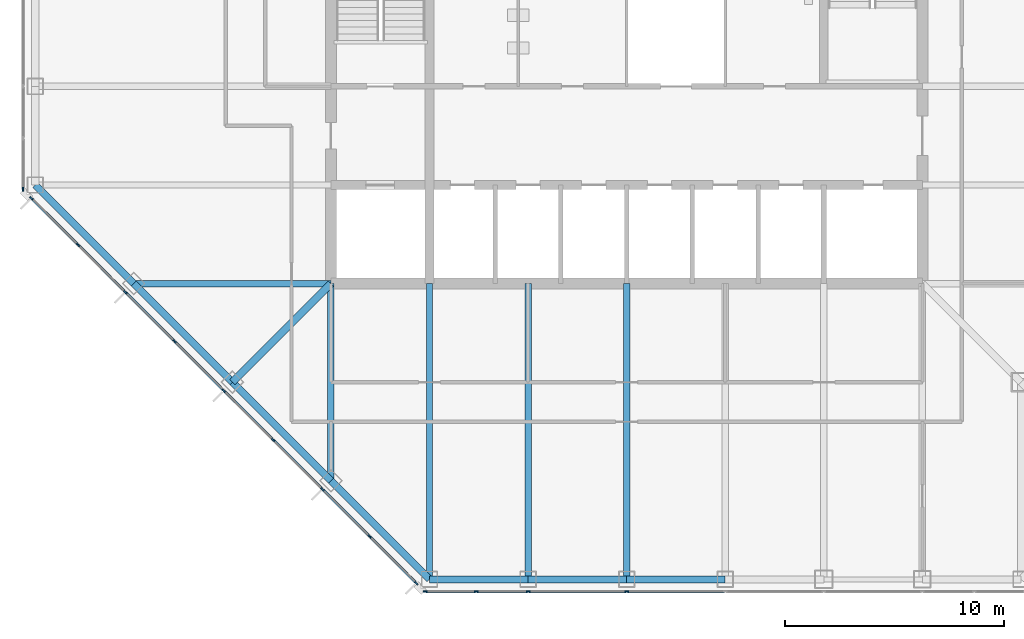
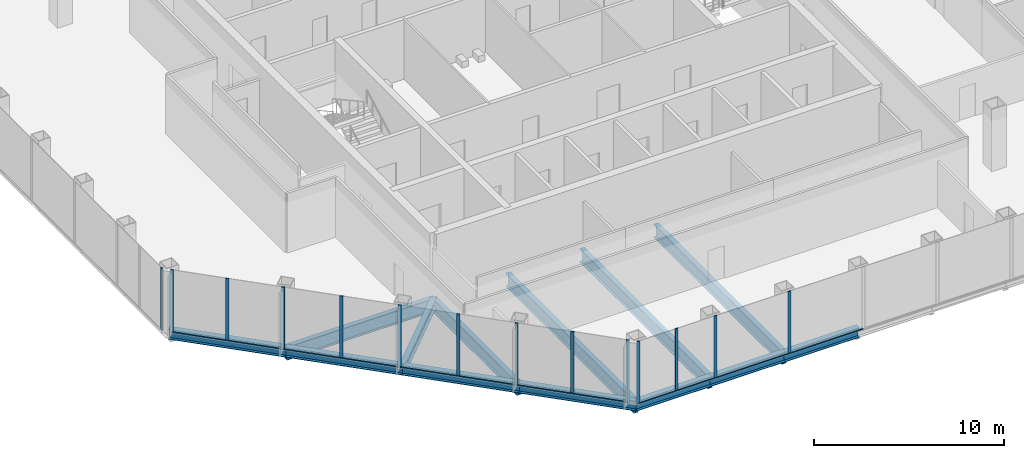
# One storey, part 2 of 12: 26 members, 13 beams, 3 elements without a shape of their own.
"""IFC4 building model written with IfcOpenShell, lengths in metres."""

from ifc_helpers import new_model, si_unit, direction, frame, origin, origin_2d, place, context, subcontext, project, spatial, rectangle, i_section, extrude, material, material_profile, profile_set, type_object, element, aggregate, save


model = new_model("IFC4")

# Units and contexts
model_context = context("Model", 3, precision=1e-05, world=origin(), true_north=direction((0.0, 1.0)))
body_context = subcontext(model_context, "Body", "Model", "MODEL_VIEW")
ifc_project = project(units=[si_unit("LENGTHUNIT", "METRE"), si_unit("AREAUNIT", "SQUARE_METRE"), si_unit("VOLUMEUNIT", "CUBIC_METRE"), si_unit("PLANEANGLEUNIT", "RADIAN"), si_unit("MASSUNIT", "GRAM", prefix="KILO")], contexts=[model_context])

# Site, building, storey
site_placement = place(None, origin())
site = spatial("IfcSite", under=ifc_project, at=site_placement, CompositionType="ELEMENT")
building_placement = place(site_placement, origin())
building = spatial("IfcBuilding", under=site, at=building_placement, Name="Corais Broadcast Tower", CompositionType="ELEMENT")
storey_placement = place(building_placement, frame((0.0, 0.0, 135.60009765625)))
storey = spatial("IfcBuildingStorey", under=building, at=storey_placement, Name="L30", CompositionType="ELEMENT", Elevation=135.60009765625)

# Beams
ifc_material_1 = material(Name="Steel ASTM A572 Grade 50", Category="steel")
ifc_material_profile_1 = material_profile(ifc_material_1, i_section(OverallWidth=0.323974609375, OverallDepth=0.611083984375, WebThickness=0.0126953125, FlangeThickness=0.01904296875, at=origin_2d()), Name="W610x155")
ifc_profile_set_1 = profile_set([ifc_material_profile_1], Name="Steel ASTM A572 Grade 50")
beam_type_1 = type_object("IfcBeamType", Name="Corner diagonal W610x155", PredefinedType="BEAM", material=ifc_profile_set_1)
beam_1_placement = place(storey_placement, frame((9.0, 9.0, -0.465576171875), z_axis=(0.707106781187, 0.707106781187, 0.0), x_axis=(-0.707106781187, 0.707106781187, 0.0)))
element("IfcBeam", 1, at=beam_1_placement, inside=storey, type_object=beam_type_1, Name="B6 C/5 to D/6", PredefinedType="BEAM", context=body_context, shape_type="SweptSolid", body=[
    extrude(i_section(OverallWidth=0.323974609375, OverallDepth=0.611083984375, WebThickness=0.0126953125, FlangeThickness=0.01904296875, at=origin_2d()), origin(), (0.0, 0.0, 1.0), 6.364013671875),
])
ifc_material_2 = material(Name="Steel ASTM A572 Grade 50", Category="steel")
ifc_material_profile_2 = material_profile(ifc_material_2, i_section(OverallWidth=0.2939453125, OverallDepth=0.85107421875, WebThickness=0.01611328125, FlangeThickness=0.02685546875, at=origin_2d()), Name="W840x226")
ifc_profile_set_2 = profile_set([ifc_material_profile_2], Name="Steel ASTM A572 Grade 50")
beam_type_2 = type_object("IfcBeamType", Name="Floor beam W840x226", PredefinedType="BEAM", material=ifc_profile_set_2)
beam_2_placement = place(storey_placement, frame((13.5, 4.5, -0.585693359375), z_axis=(0.0, 1.0, 0.0), x_axis=(-1.0, 0.0, 0.0)))
element("IfcBeam", 2, at=beam_2_placement, inside=storey, type_object=beam_type_2, Name="B1 B/6 to D/6", PredefinedType="BEAM", context=body_context, shape_type="SweptSolid", body=[
    extrude(i_section(OverallWidth=0.2939453125, OverallDepth=0.85107421875, WebThickness=0.01611328125, FlangeThickness=0.02685546875, at=origin_2d()), origin(), (0.0, 0.0, 1.0), 9.0),
])
for number, where, z_axis, x_axis, name in (
    (3, (18.0, 0.0, -0.585693359375), (0.0, 1.0, 0.0), (-1.0, 0.0, 0.0), "B1 A/7 to D/7"),
    (4, (22.5, 0.0, -0.585693359375), (0.0, 1.0, 0.0), (-1.0, 0.0, 0.0), "B1 A/8 to D/8"),
    (5, (27.0, 0.0, -0.585693359375), (0.0, 1.0, 0.0), (-1.0, 0.0, 0.0), "B1 A/9 to D/9"),
):
    element("IfcBeam", number, at=place(storey_placement, frame(where, z_axis=z_axis, x_axis=x_axis)), inside=storey, type_object=beam_type_2, Name=name, PredefinedType="BEAM", context=body_context, shape_type="SweptSolid", body=[
        extrude(i_section(OverallWidth=0.2939453125, OverallDepth=0.85107421875, WebThickness=0.01611328125, FlangeThickness=0.02685546875, at=origin_2d()), origin(), (0.0, 0.0, 1.0), 13.5),
    ])
beam_3_placement = place(storey_placement, frame((4.5, 13.5, -0.585693359375), z_axis=(1.0, 0.0, 0.0), x_axis=(0.0, 1.0, 0.0)))
element("IfcBeam", 6, at=beam_3_placement, inside=storey, type_object=beam_type_2, Name="B1 D/4 to D/6", PredefinedType="BEAM", context=body_context, shape_type="SweptSolid", body=[
    extrude(i_section(OverallWidth=0.2939453125, OverallDepth=0.85107421875, WebThickness=0.01611328125, FlangeThickness=0.02685546875, at=origin_2d()), origin(), (0.0, 0.0, 1.0), 9.0),
])

# Curtain wall, members
ifc_material_3 = material(Name="Aluminium and glass", Category="aluminium")
curtain_wall_type = type_object("IfcCurtainWallType", Name="Unitised fritted curtain wall CW2", PredefinedType="NOTDEFINED", material=ifc_material_3)
curtain_wall_1_placement = place(storey_placement, origin())
curtain_wall_1 = element("IfcCurtainWall", 7, at=curtain_wall_1_placement, inside=storey, type_object=curtain_wall_type, Name="CW2 curtain wall L30 1", PredefinedType="NOTDEFINED")
ifc_material_4 = material(Name="Aluminium 6063-T6", Category="aluminium")
ifc_material_profile_3 = material_profile(ifc_material_4, rectangle(XDim=0.06494140625, YDim=0.179931640625, at=origin_2d()), Name="Mullion CW2 65x180")
ifc_profile_set_3 = profile_set([ifc_material_profile_3], Name="Aluminium 6063-T6")
member_type_1 = type_object("IfcMemberType", Name="Mullion CW2 65x180", PredefinedType="MULLION", material=ifc_profile_set_3)
member_1_placement = place(storey_placement, frame((17.3955078125, -0.17333984375, 0.0), z_axis=(0.0, 0.0, 1.0), x_axis=(-0.707106781187, -0.707106781187, 0.0)))
member_1 = element("IfcMember", 8, at=member_1_placement, type_object=member_type_1, Name="CW2 mullion 1", PredefinedType="MULLION", context=body_context, shape_type="SweptSolid", body=[
    extrude(rectangle(XDim=0.06494140625, YDim=0.179931640625, at=origin_2d()), origin(), (0.0, 0.0, 1.0), 4.0),
])
member_2_placement = place(storey_placement, frame((15.264892578125, 1.957275390625, 0.0), z_axis=(0.0, 0.0, 1.0), x_axis=(-0.707106781187, -0.707106781187, 0.0)))
member_2 = element("IfcMember", 9, at=member_2_placement, type_object=member_type_1, Name="CW2 mullion 2", PredefinedType="MULLION", context=body_context, shape_type="SweptSolid", body=[
    extrude(rectangle(XDim=0.06494140625, YDim=0.179931640625, at=origin_2d()), origin(), (0.0, 0.0, 1.0), 4.0),
])
member_3_placement = place(storey_placement, frame((13.111083984375, 4.111083984375, 0.0), z_axis=(0.0, 0.0, 1.0), x_axis=(-0.707106781187, -0.707106781187, 0.0)))
member_3 = element("IfcMember", 10, at=member_3_placement, type_object=member_type_1, Name="CW2 mullion 3", PredefinedType="MULLION", context=body_context, shape_type="SweptSolid", body=[
    extrude(rectangle(XDim=0.06494140625, YDim=0.179931640625, at=origin_2d()), origin(), (0.0, 0.0, 1.0), 4.0),
])
member_4_placement = place(storey_placement, frame((10.861083984375, 6.361083984375, 0.0), z_axis=(0.0, 0.0, 1.0), x_axis=(-0.707106781187, -0.707106781187, 0.0)))
member_4 = element("IfcMember", 11, at=member_4_placement, type_object=member_type_1, Name="CW2 mullion 4", PredefinedType="MULLION", context=body_context, shape_type="SweptSolid", body=[
    extrude(rectangle(XDim=0.06494140625, YDim=0.179931640625, at=origin_2d()), origin(), (0.0, 0.0, 1.0), 4.0),
])
member_5_placement = place(storey_placement, frame((8.611083984375, 8.611083984375, 0.0), z_axis=(0.0, 0.0, 1.0), x_axis=(-0.707106781187, -0.707106781187, 0.0)))
member_5 = element("IfcMember", 12, at=member_5_placement, type_object=member_type_1, Name="CW2 mullion 5", PredefinedType="MULLION", context=body_context, shape_type="SweptSolid", body=[
    extrude(rectangle(XDim=0.06494140625, YDim=0.179931640625, at=origin_2d()), origin(), (0.0, 0.0, 1.0), 4.0),
])
member_6_placement = place(storey_placement, frame((6.361083984375, 10.861083984375, 0.0), z_axis=(0.0, 0.0, 1.0), x_axis=(-0.707106781187, -0.707106781187, 0.0)))
member_6 = element("IfcMember", 13, at=member_6_placement, type_object=member_type_1, Name="CW2 mullion 6", PredefinedType="MULLION", context=body_context, shape_type="SweptSolid", body=[
    extrude(rectangle(XDim=0.06494140625, YDim=0.179931640625, at=origin_2d()), origin(), (0.0, 0.0, 1.0), 4.0),
])
member_7_placement = place(storey_placement, frame((4.111083984375, 13.111083984375, 0.0), z_axis=(0.0, 0.0, 1.0), x_axis=(-0.707106781187, -0.707106781187, 0.0)))
member_7 = element("IfcMember", 14, at=member_7_placement, type_object=member_type_1, Name="CW2 mullion 7", PredefinedType="MULLION", context=body_context, shape_type="SweptSolid", body=[
    extrude(rectangle(XDim=0.06494140625, YDim=0.179931640625, at=origin_2d()), origin(), (0.0, 0.0, 1.0), 4.0),
])
member_8_placement = place(storey_placement, frame((1.957275390625, 15.264892578125, 0.0), z_axis=(0.0, 0.0, 1.0), x_axis=(-0.707106781187, -0.707106781187, 0.0)))
member_8 = element("IfcMember", 15, at=member_8_placement, type_object=member_type_1, Name="CW2 mullion 8", PredefinedType="MULLION", context=body_context, shape_type="SweptSolid", body=[
    extrude(rectangle(XDim=0.06494140625, YDim=0.179931640625, at=origin_2d()), origin(), (0.0, 0.0, 1.0), 4.0),
])
member_9_placement = place(storey_placement, frame((-0.17333984375, 17.3955078125, 0.0), z_axis=(0.0, 0.0, 1.0), x_axis=(-0.707106781187, -0.707106781187, 0.0)))
member_9 = element("IfcMember", 16, at=member_9_placement, type_object=member_type_1, Name="CW2 mullion 9", PredefinedType="MULLION", context=body_context, shape_type="SweptSolid", body=[
    extrude(rectangle(XDim=0.06494140625, YDim=0.179931640625, at=origin_2d()), origin(), (0.0, 0.0, 1.0), 4.0),
])

# Curtain wall, member
curtain_wall_2_placement = place(storey_placement, origin())
curtain_wall_2 = element("IfcCurtainWall", 17, at=curtain_wall_2_placement, inside=storey, type_object=curtain_wall_type, Name="CW2 curtain wall L30 2", PredefinedType="NOTDEFINED")
member_10_placement = place(storey_placement, frame((-0.550048828125, 17.8046875, 0.0), z_axis=(0.0, 0.0, 1.0), x_axis=(-1.0, 0.0, 0.0)))
member_10 = element("IfcMember", 18, at=member_10_placement, type_object=member_type_1, Name="CW2 mullion 1", PredefinedType="MULLION", context=body_context, shape_type="SweptSolid", body=[
    extrude(rectangle(XDim=0.06494140625, YDim=0.179931640625, at=origin_2d()), origin(), (0.0, 0.0, 1.0), 4.0),
])
aggregate(curtain_wall_2, [member_10])

# Curtain wall, members
curtain_wall_3_placement = place(storey_placement, origin())
curtain_wall_3 = element("IfcCurtainWall", 19, at=curtain_wall_3_placement, inside=storey, type_object=curtain_wall_type, Name="CW2 curtain wall L30 8", PredefinedType="NOTDEFINED")
member_11_placement = place(storey_placement, frame((27.0, -0.550048828125, 0.0), z_axis=(0.0, 0.0, 1.0), x_axis=(0.0, -1.0, 0.0)))
member_11 = element("IfcMember", 20, at=member_11_placement, type_object=member_type_1, Name="CW2 mullion 6", PredefinedType="MULLION", context=body_context, shape_type="SweptSolid", body=[
    extrude(rectangle(XDim=0.06494140625, YDim=0.179931640625, at=origin_2d()), origin(), (0.0, 0.0, 1.0), 4.0),
])
member_12_placement = place(storey_placement, frame((22.5, -0.550048828125, 0.0), z_axis=(0.0, 0.0, 1.0), x_axis=(0.0, -1.0, 0.0)))
member_12 = element("IfcMember", 21, at=member_12_placement, type_object=member_type_1, Name="CW2 mullion 7", PredefinedType="MULLION", context=body_context, shape_type="SweptSolid", body=[
    extrude(rectangle(XDim=0.06494140625, YDim=0.179931640625, at=origin_2d()), origin(), (0.0, 0.0, 1.0), 4.0),
])
member_13_placement = place(storey_placement, frame((20.135986328125, -0.550048828125, 0.0), z_axis=(0.0, 0.0, 1.0), x_axis=(0.0, -1.0, 0.0)))
member_13 = element("IfcMember", 22, at=member_13_placement, type_object=member_type_1, Name="CW2 mullion 8", PredefinedType="MULLION", context=body_context, shape_type="SweptSolid", body=[
    extrude(rectangle(XDim=0.06494140625, YDim=0.179931640625, at=origin_2d()), origin(), (0.0, 0.0, 1.0), 4.0),
])
member_14_placement = place(storey_placement, frame((17.8046875, -0.550048828125, 0.0), z_axis=(0.0, 0.0, 1.0), x_axis=(0.0, -1.0, 0.0)))
member_14 = element("IfcMember", 23, at=member_14_placement, type_object=member_type_1, Name="CW2 mullion 9", PredefinedType="MULLION", context=body_context, shape_type="SweptSolid", body=[
    extrude(rectangle(XDim=0.06494140625, YDim=0.179931640625, at=origin_2d()), origin(), (0.0, 0.0, 1.0), 4.0),
])

# Beams
ifc_material_5 = material(Name="Steel ASTM A572 Grade 50", Category="steel")
ifc_material_profile_4 = material_profile(ifc_material_5, i_section(OverallWidth=0.3291015625, OverallDepth=0.635009765625, WebThickness=0.017822265625, FlangeThickness=0.031005859375, at=origin_2d()), Name="W610x241")
ifc_profile_set_4 = profile_set([ifc_material_profile_4], Name="Steel ASTM A572 Grade 50")
beam_type_3 = type_object("IfcBeamType", Name="Spandrel W610x241", PredefinedType="BEAM", material=ifc_profile_set_4)
for number, where, z_axis, x_axis, name in (
    (24, (0.0, 18.0, -0.4775390625), (0.707106781187, -0.707106781187, 0.0), (0.707106781187, 0.707106781187, 0.0), "SB1 E/3 to D/4"),
    (25, (13.5, 4.5, -0.4775390625), (0.707106781187, -0.707106781187, 0.0), (0.707106781187, 0.707106781187, 0.0), "SB1 B/6 to A/7"),
):
    element("IfcBeam", number, at=place(storey_placement, frame(where, z_axis=z_axis, x_axis=x_axis)), inside=storey, type_object=beam_type_3, Name=name, PredefinedType="BEAM", context=body_context, shape_type="SweptSolid", body=[
        extrude(i_section(OverallWidth=0.3291015625, OverallDepth=0.635009765625, WebThickness=0.017822265625, FlangeThickness=0.031005859375, at=origin_2d()), origin(), (0.0, 0.0, 1.0), 6.364013671875),
    ])
for number, where, z_axis, x_axis, name in (
    (26, (18.0, 0.0, -0.4775390625), (1.0, 0.0, 0.0), (0.0, 1.0, 0.0), "SB1 A/7 to A/8"),
    (27, (22.5, 0.0, -0.4775390625), (1.0, 0.0, 0.0), (0.0, 1.0, 0.0), "SB1 A/8 to A/9"),
    (28, (27.0, 0.0, -0.4775390625), (1.0, 0.0, 0.0), (0.0, 1.0, 0.0), "SB1 A/9 to A/10"),
):
    element("IfcBeam", number, at=place(storey_placement, frame(where, z_axis=z_axis, x_axis=x_axis)), inside=storey, type_object=beam_type_3, Name=name, PredefinedType="BEAM", context=body_context, shape_type="SweptSolid", body=[
        extrude(i_section(OverallWidth=0.3291015625, OverallDepth=0.635009765625, WebThickness=0.017822265625, FlangeThickness=0.031005859375, at=origin_2d()), origin(), (0.0, 0.0, 1.0), 4.5),
    ])
for number, where, z_axis, x_axis, name in (
    (29, (4.5, 13.5, -0.4775390625), (0.707106781187, -0.707106781187, 0.0), (0.707106781187, 0.707106781187, 0.0), "SB1 D/4 to C/5"),
    (30, (9.0, 9.0, -0.4775390625), (0.707106781187, -0.707106781187, 0.0), (0.707106781187, 0.707106781187, 0.0), "SB1 C/5 to B/6"),
):
    element("IfcBeam", number, at=place(storey_placement, frame(where, z_axis=z_axis, x_axis=x_axis)), inside=storey, type_object=beam_type_3, Name=name, PredefinedType="BEAM", context=body_context, shape_type="SweptSolid", body=[
        extrude(i_section(OverallWidth=0.3291015625, OverallDepth=0.635009765625, WebThickness=0.017822265625, FlangeThickness=0.031005859375, at=origin_2d()), origin(), (0.0, 0.0, 1.0), 6.364013671875),
    ])

# Member
ifc_material_6 = material(Name="Aluminium 6063-T6", Category="aluminium")
ifc_material_profile_5 = material_profile(ifc_material_6, rectangle(XDim=0.1298828125, YDim=0.06494140625, at=origin_2d()), Name="Transom CW2 65x130")
ifc_profile_set_5 = profile_set([ifc_material_profile_5], Name="Aluminium 6063-T6")
member_type_2 = type_object("IfcMemberType", Name="Transom CW2 65x130", PredefinedType="USERDEFINED", material=ifc_profile_set_5)
member_15_placement = place(storey_placement, frame((17.37255859375, -0.150390625, 0.032470703125), z_axis=(-0.707106781187, 0.707106781187, 0.0), x_axis=(-0.707106781187, -0.707106781187, 0.0)))
member_15 = element("IfcMember", 31, at=member_15_placement, type_object=member_type_2, Name="CW2 transom 1.1", ObjectType="TRANSOM", PredefinedType="USERDEFINED", context=body_context, shape_type="SweptSolid", body=[
    extrude(rectangle(XDim=0.1298828125, YDim=0.06494140625, at=origin_2d()), origin(), (0.0, 0.0, 1.0), 2.9482421875),
])

member_16_placement = place(storey_placement, frame((15.241943359375, 1.980224609375, 0.032470703125), z_axis=(-0.707106781187, 0.707106781187, 0.0), x_axis=(-0.707106781187, -0.707106781187, 0.0)))
member_16 = element("IfcMember", 32, at=member_16_placement, type_object=member_type_2, Name="CW2 transom 2.1", ObjectType="TRANSOM", PredefinedType="USERDEFINED", context=body_context, shape_type="SweptSolid", body=[
    extrude(rectangle(XDim=0.1298828125, YDim=0.06494140625, at=origin_2d()), origin(), (0.0, 0.0, 1.0), 2.98095703125),
])

member_17_placement = place(storey_placement, frame((13.088134765625, 4.134033203125, 0.032470703125), z_axis=(-0.707106781187, 0.707106781187, 0.0), x_axis=(-0.707106781187, -0.707106781187, 0.0)))
member_17 = element("IfcMember", 33, at=member_17_placement, type_object=member_type_2, Name="CW2 transom 3.1", ObjectType="TRANSOM", PredefinedType="USERDEFINED", context=body_context, shape_type="SweptSolid", body=[
    extrude(rectangle(XDim=0.1298828125, YDim=0.06494140625, at=origin_2d()), origin(), (0.0, 0.0, 1.0), 3.1171875),
])

member_18_placement = place(storey_placement, frame((10.838134765625, 6.384033203125, 0.032470703125), z_axis=(-0.707106781187, 0.707106781187, 0.0), x_axis=(-0.707106781187, -0.707106781187, 0.0)))
member_18 = element("IfcMember", 34, at=member_18_placement, type_object=member_type_2, Name="CW2 transom 4.1", ObjectType="TRANSOM", PredefinedType="USERDEFINED", context=body_context, shape_type="SweptSolid", body=[
    extrude(rectangle(XDim=0.1298828125, YDim=0.06494140625, at=origin_2d()), origin(), (0.0, 0.0, 1.0), 3.1171875),
])

member_19_placement = place(storey_placement, frame((8.588134765625, 8.634033203125, 0.032470703125), z_axis=(-0.707106781187, 0.707106781187, 0.0), x_axis=(-0.707106781187, -0.707106781187, 0.0)))
member_19 = element("IfcMember", 35, at=member_19_placement, type_object=member_type_2, Name="CW2 transom 5.1", ObjectType="TRANSOM", PredefinedType="USERDEFINED", context=body_context, shape_type="SweptSolid", body=[
    extrude(rectangle(XDim=0.1298828125, YDim=0.06494140625, at=origin_2d()), origin(), (0.0, 0.0, 1.0), 3.1171875),
])

member_20_placement = place(storey_placement, frame((6.338134765625, 10.884033203125, 0.032470703125), z_axis=(-0.707106781187, 0.707106781187, 0.0), x_axis=(-0.707106781187, -0.707106781187, 0.0)))
member_20 = element("IfcMember", 36, at=member_20_placement, type_object=member_type_2, Name="CW2 transom 6.1", ObjectType="TRANSOM", PredefinedType="USERDEFINED", context=body_context, shape_type="SweptSolid", body=[
    extrude(rectangle(XDim=0.1298828125, YDim=0.06494140625, at=origin_2d()), origin(), (0.0, 0.0, 1.0), 3.1171875),
])

member_21_placement = place(storey_placement, frame((4.088134765625, 13.134033203125, 0.032470703125), z_axis=(-0.707065828661, 0.70714773134, 0.0), x_axis=(-0.70714773134, -0.707065828661, 0.0)))
member_21 = element("IfcMember", 37, at=member_21_placement, type_object=member_type_2, Name="CW2 transom 7.1", ObjectType="TRANSOM", PredefinedType="USERDEFINED", context=body_context, shape_type="SweptSolid", body=[
    extrude(rectangle(XDim=0.1298828125, YDim=0.06494140625, at=origin_2d()), origin(), (0.0, 0.0, 1.0), 2.98095703125),
])

member_22_placement = place(storey_placement, frame((1.934326171875, 15.287841796875, 0.032470703125), z_axis=(-0.707106781187, 0.707106781187, 0.0), x_axis=(-0.707106781187, -0.707106781187, 0.0)))
member_22 = element("IfcMember", 38, at=member_22_placement, type_object=member_type_2, Name="CW2 transom 8.1", ObjectType="TRANSOM", PredefinedType="USERDEFINED", context=body_context, shape_type="SweptSolid", body=[
    extrude(rectangle(XDim=0.1298828125, YDim=0.06494140625, at=origin_2d()), origin(), (0.0, 0.0, 1.0), 2.9482421875),
])

aggregate(curtain_wall_1, [member_1, member_2, member_3, member_4, member_5, member_6, member_7, member_8, member_9, member_15, member_16, member_17, member_18, member_19, member_20, member_21, member_22])

member_23_placement = place(storey_placement, frame((31.467529296875, -0.550048828125, 0.032470703125), z_axis=(-1.0, 0.0, 0.0), x_axis=(0.0, -1.0, 0.0)))
member_23 = element("IfcMember", 39, at=member_23_placement, type_object=member_type_2, Name="CW2 transom 5.1", ObjectType="TRANSOM", PredefinedType="USERDEFINED", context=body_context, shape_type="SweptSolid", body=[
    extrude(rectangle(XDim=0.1298828125, YDim=0.06494140625, at=origin_2d()), origin(), (0.0, 0.0, 1.0), 4.43505859375),
])

member_24_placement = place(storey_placement, frame((26.967529296875, -0.550048828125, 0.032470703125), z_axis=(-1.0, 0.0, 0.0), x_axis=(0.0, -1.0, 0.0)))
member_24 = element("IfcMember", 40, at=member_24_placement, type_object=member_type_2, Name="CW2 transom 6.1", ObjectType="TRANSOM", PredefinedType="USERDEFINED", context=body_context, shape_type="SweptSolid", body=[
    extrude(rectangle(XDim=0.1298828125, YDim=0.06494140625, at=origin_2d()), origin(), (0.0, 0.0, 1.0), 4.43505859375),
])

member_25_placement = place(storey_placement, frame((22.467529296875, -0.550048828125, 0.032470703125), z_axis=(-1.0, 0.0, 0.0), x_axis=(0.0, -1.0, 0.0)))
member_25 = element("IfcMember", 41, at=member_25_placement, type_object=member_type_2, Name="CW2 transom 7.1", ObjectType="TRANSOM", PredefinedType="USERDEFINED", context=body_context, shape_type="SweptSolid", body=[
    extrude(rectangle(XDim=0.1298828125, YDim=0.06494140625, at=origin_2d()), origin(), (0.0, 0.0, 1.0), 2.298828125),
])

member_26_placement = place(storey_placement, frame((20.103515625, -0.550048828125, 0.032470703125), z_axis=(-1.0, 0.0, 0.0), x_axis=(0.0, -1.0, 0.0)))
member_26 = element("IfcMember", 42, at=member_26_placement, type_object=member_type_2, Name="CW2 transom 8.1", ObjectType="TRANSOM", PredefinedType="USERDEFINED", context=body_context, shape_type="SweptSolid", body=[
    extrude(rectangle(XDim=0.1298828125, YDim=0.06494140625, at=origin_2d()), origin(), (0.0, 0.0, 1.0), 2.266357421875),
])

aggregate(curtain_wall_3, [member_11, member_12, member_13, member_14, member_23, member_24, member_25, member_26])

save(model, "model.ifc")
